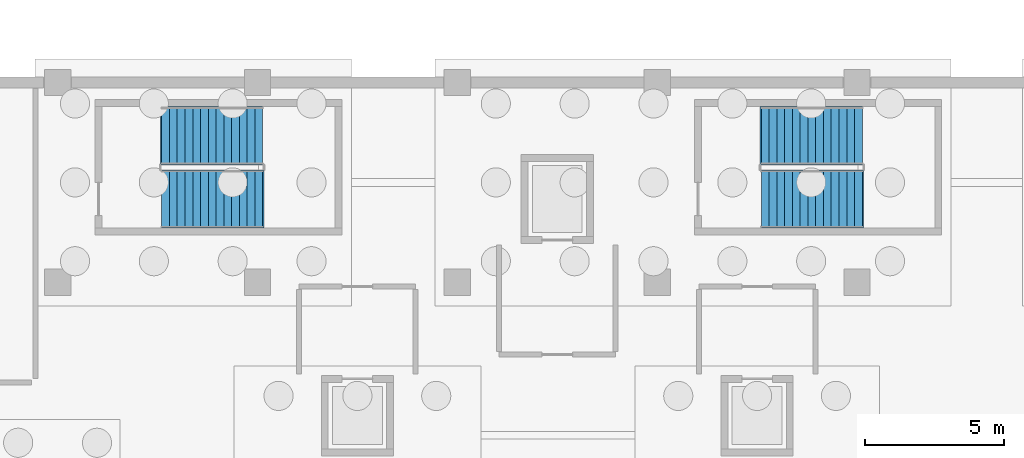
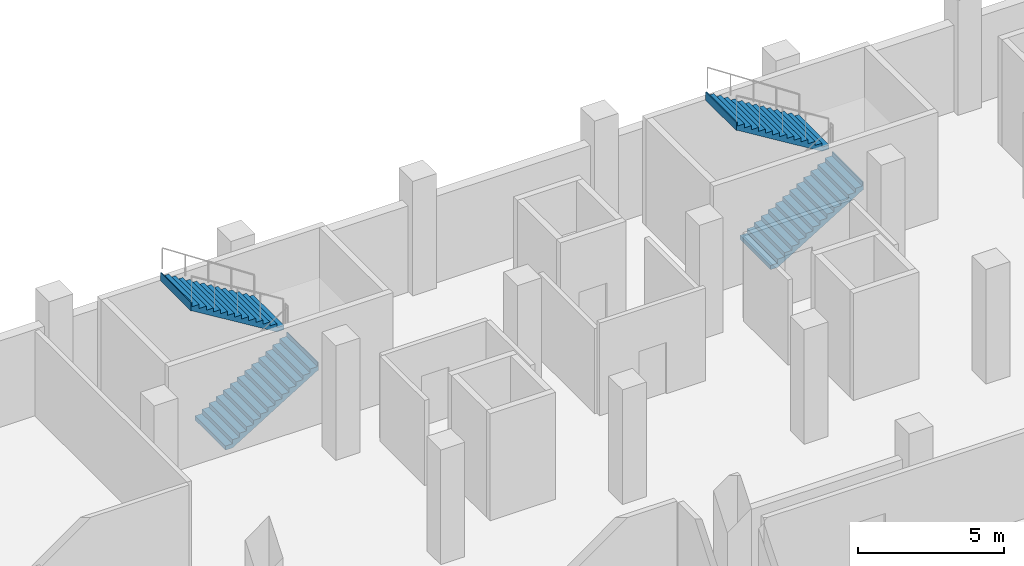
# One storey, part 6 of 10: 4 stair flights, 2 elements without a shape of their own.
"""IFC4 building model written with IfcOpenShell, lengths in metres."""

from ifc_helpers import new_model, si_unit, direction, frame, origin, place, context, subcontext, project, spatial, triangles, material, type_object, element, aggregate, save


model = new_model("IFC4")

# Units and contexts
model_context = context("Model", 3, precision=1e-05, world=origin(), true_north=direction((0.0, 1.0)))
body_context = subcontext(model_context, "Body", "Model", "MODEL_VIEW")
ifc_project = project(units=[si_unit("LENGTHUNIT", "METRE"), si_unit("AREAUNIT", "SQUARE_METRE"), si_unit("VOLUMEUNIT", "CUBIC_METRE"), si_unit("PLANEANGLEUNIT", "RADIAN"), si_unit("MASSUNIT", "GRAM", prefix="KILO")], contexts=[model_context])

# Site, building, storey
site_placement = place(None, origin())
site = spatial("IfcSite", under=ifc_project, at=site_placement, CompositionType="ELEMENT")
building_placement = place(site_placement, origin())
building = spatial("IfcBuilding", under=site, at=building_placement, Name="Cendralis Lancet Convention Centre", CompositionType="ELEMENT")
storey_placement = place(building_placement, frame((0.0, 0.0, -4.800048828125)))
storey = spatial("IfcBuildingStorey", under=building, at=storey_placement, Name="B1", CompositionType="ELEMENT", Elevation=-4.800048828125)

# Stair, stair flights
ifc_material = material(Name="Concrete G35 (C35/45)", Category="concrete")
stair_type = type_object("IfcStairType", Name="ARC-ST-CORE", PredefinedType="HALF_TURN_STAIR", material=ifc_material)
stair_1_placement = place(storey_placement, origin())
stair_1 = element("IfcStair", 1, at=stair_1_placement, inside=storey, type_object=stair_type, Name="B1 Protected Exit Stair ST-13", PredefinedType="HALF_TURN_STAIR")
stair_flight_type = type_object("IfcStairFlightType", Name="ARC-SF-CORE", PredefinedType="STRAIGHT", material=ifc_material)
stair_flight_1_placement = place(storey_placement, frame((150.14990234375, 31.800048828125, 0.0), z_axis=(0.0, 0.0, 1.0), x_axis=(1.0, 0.0, 0.0)))
stair_flight_1 = element("IfcStairFlight", 2, at=stair_flight_1_placement, type_object=stair_flight_type, Name="ST-13 flight 1", NumberOfRisers=14, NumberOfTreads=13, PredefinedType="STRAIGHT", RiserHeight=0.171428571, TreadLength=0.28, context=body_context, shape_type="Tessellation", body=[
    triangles([(0.0, 0.0, 0.085714), (0.0, 1.050049, 0.0), (0.0, -1.050049, 0.0), (0.0, -1.050049, 0.171429), (0.0, 1.050049, 0.171429), (0.14, 0.0, 0.171429), (0.28, -1.050049, 0.171429), (0.28, 1.050049, 0.171429), (0.14, 0.0, 0.0), (0.28, -1.050049, 0.0), (0.28, 1.050049, 0.0), (0.28, 0.0, 0.257143), (0.28, -1.050049, 0.342857), (0.28, 1.050049, 0.342857), (0.283543, 0.0, 0.342857), (0.287085, -1.050049, 0.342857), (0.287085, 1.050049, 0.342857), (0.283543, 0.0, 0.0), (0.287085, -1.050049, 0.0), (0.287085, 1.050049, 0.0), (0.423543, 0.0, 0.342857), (0.56, -1.050049, 0.342857), (0.56, 1.050049, 0.342857), (0.423543, 0.0, 0.083545), (0.56, -1.050049, 0.167091), (0.56, 1.050049, 0.167091), (0.56, 0.0, 0.428572), (0.56, -1.050049, 0.514286), (0.56, 1.050049, 0.514286), (0.7, 0.0, 0.514286), (0.84, -1.050049, 0.514286), (0.84, 1.050049, 0.514286), (0.7, 0.0, 0.252806), (0.84, -1.050049, 0.33852), (0.84, 1.050049, 0.33852), (0.84, 0.0, 0.6), (0.84, -1.050049, 0.685714), (0.84, 1.050049, 0.685714), (0.98, 0.0, 0.685714), (1.12, -1.050049, 0.685714), (1.12, 1.050049, 0.685714), (0.98, 0.0, 0.424234), (1.12, -1.050049, 0.509948), (1.12, 1.050049, 0.509948), (1.12, 0.0, 0.771429), (1.12, -1.050049, 0.857143), (1.12, 1.050049, 0.857143), (1.26, 0.0, 0.857143), (1.4, -1.050049, 0.857143), (1.4, 1.050049, 0.857143), (1.26, 0.0, 0.595662), (1.4, -1.050049, 0.681377), (1.4, 1.050049, 0.681377), (1.4, 0.0, 0.942857), (1.4, -1.050049, 1.028571), (1.4, 1.050049, 1.028571), (1.54, 0.0, 1.028571), (1.68, -1.050049, 1.028571), (1.68, 1.050049, 1.028571), (1.54, 0.0, 0.767091), (1.68, -1.050049, 0.852805), (1.68, 1.050049, 0.852805), (1.68, 0.0, 1.114286), (1.68, -1.050049, 1.2), (1.68, 1.050049, 1.2), (1.82, 0.0, 1.2), (1.96, -1.050049, 1.2), (1.96, 1.050049, 1.2), (1.82, 0.0, 0.938519), (1.96, -1.050049, 1.024234), (1.96, 1.050049, 1.024234), (1.96, 0.0, 1.285715), (1.96, -1.050049, 1.371429), (1.96, 1.050049, 1.371429), (2.1, 0.0, 1.371429), (2.24, -1.050049, 1.371429), (2.24, 1.050049, 1.371429), (2.1, 0.0, 1.109948), (2.24, -1.050049, 1.195662), (2.24, 1.050049, 1.195662), (2.24, 0.0, 1.457143), (2.24, -1.050049, 1.542857), (2.24, 1.050049, 1.542857), (2.38, 0.0, 1.542857), (2.52, -1.050049, 1.542857), (2.52, 1.050049, 1.542857), (2.38, 0.0, 1.281376), (2.52, -1.050049, 1.367091), (2.52, 1.050049, 1.367091), (2.52, 0.0, 1.628572), (2.52, -1.050049, 1.714286), (2.52, 1.050049, 1.714286), (2.66, 0.0, 1.714286), (2.8, -1.050049, 1.714286), (2.8, 1.050049, 1.714286), (2.66, 0.0, 1.452806), (2.8, -1.050049, 1.53852), (2.8, 1.050049, 1.53852), (2.8, 0.0, 1.8), (2.8, -1.050049, 1.885714), (2.8, 1.050049, 1.885714), (2.94, 0.0, 1.885714), (3.08, -1.050049, 1.885714), (3.08, 1.050049, 1.885714), (2.94, 0.0, 1.624234), (3.08, -1.050049, 1.709948), (3.08, 1.050049, 1.709948), (3.08, 0.0, 1.971429), (3.08, -1.050049, 2.057143), (3.08, 1.050049, 2.057143), (3.22, 0.0, 2.057143), (3.36, -1.050049, 2.057143), (3.36, 1.050049, 2.057143), (3.22, 0.0, 1.795663), (3.36, -1.050049, 1.881377), (3.36, 1.050049, 1.881377), (3.36, 0.0, 2.142857), (3.36, -1.050049, 2.228571), (3.36, 1.050049, 2.228571), (3.5, 0.0, 2.228571), (3.64, -1.050049, 2.228571), (3.64, 1.050049, 2.228571), (3.5, 0.0, 1.967091), (3.64, -1.050049, 2.052805), (3.64, 1.050049, 2.052805), (3.64, 0.0, 2.314285), (3.64, -1.050049, 2.4), (3.64, 1.050049, 2.4), (3.66, 0.0, 2.4), (3.68, -1.050049, 2.4), (3.68, 1.050049, 2.4), (3.66, 0.0, 2.052805), (3.68, -1.050049, 2.052805), (3.68, 1.050049, 2.052805), (3.68, 0.0, 2.226403)], [[2, 3, 1], [3, 4, 1], [4, 5, 1], [5, 2, 1], [4, 7, 6], [7, 8, 6], [8, 5, 6], [5, 4, 6], [10, 3, 9], [3, 2, 9], [2, 11, 9], [11, 10, 9], [3, 10, 7], [3, 7, 4], [2, 8, 11], [2, 5, 8], [8, 7, 12], [7, 13, 12], [13, 14, 12], [14, 8, 12], [13, 16, 15], [16, 17, 15], [17, 14, 15], [14, 13, 15], [19, 10, 18], [10, 11, 18], [11, 20, 18], [20, 19, 18], [10, 19, 16], [10, 16, 7], [7, 16, 13], [11, 17, 20], [11, 8, 17], [8, 14, 17], [16, 22, 21], [22, 23, 21], [23, 17, 21], [17, 16, 21], [25, 19, 24], [19, 20, 24], [20, 26, 24], [26, 25, 24], [19, 25, 22], [19, 22, 16], [20, 23, 26], [20, 17, 23], [23, 22, 27], [22, 28, 27], [28, 29, 27], [29, 23, 27], [28, 31, 30], [31, 32, 30], [32, 29, 30], [29, 28, 30], [34, 25, 33], [25, 26, 33], [26, 35, 33], [35, 34, 33], [25, 34, 31], [25, 31, 22], [22, 31, 28], [26, 32, 35], [26, 23, 32], [23, 29, 32], [32, 31, 36], [31, 37, 36], [37, 38, 36], [38, 32, 36], [37, 40, 39], [40, 41, 39], [41, 38, 39], [38, 37, 39], [43, 34, 42], [34, 35, 42], [35, 44, 42], [44, 43, 42], [34, 43, 40], [34, 40, 31], [31, 40, 37], [35, 41, 44], [35, 32, 41], [32, 38, 41], [41, 40, 45], [40, 46, 45], [46, 47, 45], [47, 41, 45], [46, 49, 48], [49, 50, 48], [50, 47, 48], [47, 46, 48], [52, 43, 51], [43, 44, 51], [44, 53, 51], [53, 52, 51], [43, 52, 49], [43, 49, 40], [40, 49, 46], [44, 50, 53], [44, 41, 50], [41, 47, 50], [50, 49, 54], [49, 55, 54], [55, 56, 54], [56, 50, 54], [55, 58, 57], [58, 59, 57], [59, 56, 57], [56, 55, 57], [61, 52, 60], [52, 53, 60], [53, 62, 60], [62, 61, 60], [52, 61, 58], [52, 58, 49], [49, 58, 55], [53, 59, 62], [53, 50, 59], [50, 56, 59], [59, 58, 63], [58, 64, 63], [64, 65, 63], [65, 59, 63], [64, 67, 66], [67, 68, 66], [68, 65, 66], [65, 64, 66], [70, 61, 69], [61, 62, 69], [62, 71, 69], [71, 70, 69], [61, 70, 67], [61, 67, 58], [58, 67, 64], [62, 68, 71], [62, 59, 68], [59, 65, 68], [68, 67, 72], [67, 73, 72], [73, 74, 72], [74, 68, 72], [73, 76, 75], [76, 77, 75], [77, 74, 75], [74, 73, 75], [79, 70, 78], [70, 71, 78], [71, 80, 78], [80, 79, 78], [70, 79, 76], [70, 76, 67], [67, 76, 73], [71, 77, 80], [71, 68, 77], [68, 74, 77], [77, 76, 81], [76, 82, 81], [82, 83, 81], [83, 77, 81], [82, 85, 84], [85, 86, 84], [86, 83, 84], [83, 82, 84], [88, 79, 87], [79, 80, 87], [80, 89, 87], [89, 88, 87], [79, 88, 85], [79, 85, 76], [76, 85, 82], [80, 86, 89], [80, 77, 86], [77, 83, 86], [86, 85, 90], [85, 91, 90], [91, 92, 90], [92, 86, 90], [91, 94, 93], [94, 95, 93], [95, 92, 93], [92, 91, 93], [97, 88, 96], [88, 89, 96], [89, 98, 96], [98, 97, 96], [88, 97, 94], [88, 94, 85], [85, 94, 91], [89, 95, 98], [89, 86, 95], [86, 92, 95], [95, 94, 99], [94, 100, 99], [100, 101, 99], [101, 95, 99], [100, 103, 102], [103, 104, 102], [104, 101, 102], [101, 100, 102], [106, 97, 105], [97, 98, 105], [98, 107, 105], [107, 106, 105], [97, 106, 103], [97, 103, 94], [94, 103, 100], [98, 104, 107], [98, 95, 104], [95, 101, 104], [104, 103, 108], [103, 109, 108], [109, 110, 108], [110, 104, 108], [109, 112, 111], [112, 113, 111], [113, 110, 111], [110, 109, 111], [115, 106, 114], [106, 107, 114], [107, 116, 114], [116, 115, 114], [106, 115, 112], [106, 112, 103], [103, 112, 109], [107, 113, 116], [107, 104, 113], [104, 110, 113], [113, 112, 117], [112, 118, 117], [118, 119, 117], [119, 113, 117], [118, 121, 120], [121, 122, 120], [122, 119, 120], [119, 118, 120], [124, 115, 123], [115, 116, 123], [116, 125, 123], [125, 124, 123], [115, 124, 121], [115, 121, 112], [112, 121, 118], [116, 122, 125], [116, 113, 122], [113, 119, 122], [122, 121, 126], [121, 127, 126], [127, 128, 126], [128, 122, 126], [127, 130, 129], [130, 131, 129], [131, 128, 129], [128, 127, 129], [133, 124, 132], [124, 125, 132], [125, 134, 132], [134, 133, 132], [124, 133, 130], [124, 130, 121], [121, 130, 127], [125, 131, 134], [125, 122, 131], [122, 128, 131], [133, 134, 135], [134, 131, 135], [131, 130, 135], [130, 133, 135]], closed=True),
])
stair_flight_2_placement = place(storey_placement, frame((153.7900390625, 34.080078125, 2.400146484375), z_axis=(0.0, 0.0, 1.0), x_axis=(-1.0, 0.0, 0.0)))
stair_flight_2 = element("IfcStairFlight", 3, at=stair_flight_2_placement, type_object=stair_flight_type, Name="ST-13 flight 2", NumberOfRisers=14, NumberOfTreads=13, PredefinedType="STRAIGHT", RiserHeight=0.171428571, TreadLength=0.28, context=body_context, shape_type="Tessellation", body=[
    triangles([(0.0, 0.0, 0.085714), (0.0, 1.050049, 0.0), (0.0, -1.050049, 0.0), (0.0, -1.050049, 0.171429), (0.0, 1.050049, 0.171429), (0.14, 0.0, 0.171429), (0.28, -1.050049, 0.171429), (0.28, 1.050049, 0.171429), (0.14, 0.0, 0.0), (0.28, -1.050049, 0.0), (0.28, 1.050049, 0.0), (0.28, 0.0, 0.257143), (0.28, -1.050049, 0.342857), (0.28, 1.050049, 0.342857), (0.283543, 0.0, 0.342857), (0.287085, -1.050049, 0.342857), (0.287085, 1.050049, 0.342857), (0.283543, 0.0, 0.0), (0.287085, -1.050049, 0.0), (0.287085, 1.050049, 0.0), (0.423543, 0.0, 0.342857), (0.56, -1.050049, 0.342857), (0.56, 1.050049, 0.342857), (0.423543, 0.0, 0.083545), (0.56, -1.050049, 0.167091), (0.56, 1.050049, 0.167091), (0.56, 0.0, 0.428572), (0.56, -1.050049, 0.514286), (0.56, 1.050049, 0.514286), (0.7, 0.0, 0.514286), (0.84, -1.050049, 0.514286), (0.84, 1.050049, 0.514286), (0.7, 0.0, 0.252806), (0.84, -1.050049, 0.33852), (0.84, 1.050049, 0.33852), (0.84, 0.0, 0.6), (0.84, -1.050049, 0.685714), (0.84, 1.050049, 0.685714), (0.98, 0.0, 0.685714), (1.12, -1.050049, 0.685714), (1.12, 1.050049, 0.685714), (0.98, 0.0, 0.424234), (1.12, -1.050049, 0.509948), (1.12, 1.050049, 0.509948), (1.12, 0.0, 0.771429), (1.12, -1.050049, 0.857143), (1.12, 1.050049, 0.857143), (1.26, 0.0, 0.857143), (1.4, -1.050049, 0.857143), (1.4, 1.050049, 0.857143), (1.26, 0.0, 0.595662), (1.4, -1.050049, 0.681377), (1.4, 1.050049, 0.681377), (1.4, 0.0, 0.942857), (1.4, -1.050049, 1.028571), (1.4, 1.050049, 1.028571), (1.54, 0.0, 1.028571), (1.68, -1.050049, 1.028571), (1.68, 1.050049, 1.028571), (1.54, 0.0, 0.767091), (1.68, -1.050049, 0.852805), (1.68, 1.050049, 0.852805), (1.68, 0.0, 1.114286), (1.68, -1.050049, 1.2), (1.68, 1.050049, 1.2), (1.82, 0.0, 1.2), (1.96, -1.050049, 1.2), (1.96, 1.050049, 1.2), (1.82, 0.0, 0.938519), (1.96, -1.050049, 1.024234), (1.96, 1.050049, 1.024234), (1.96, 0.0, 1.285715), (1.96, -1.050049, 1.371429), (1.96, 1.050049, 1.371429), (2.1, 0.0, 1.371429), (2.24, -1.050049, 1.371429), (2.24, 1.050049, 1.371429), (2.1, 0.0, 1.109948), (2.24, -1.050049, 1.195662), (2.24, 1.050049, 1.195662), (2.24, 0.0, 1.457143), (2.24, -1.050049, 1.542857), (2.24, 1.050049, 1.542857), (2.38, 0.0, 1.542857), (2.52, -1.050049, 1.542857), (2.52, 1.050049, 1.542857), (2.38, 0.0, 1.281376), (2.52, -1.050049, 1.367091), (2.52, 1.050049, 1.367091), (2.52, 0.0, 1.628572), (2.52, -1.050049, 1.714286), (2.52, 1.050049, 1.714286), (2.66, 0.0, 1.714286), (2.8, -1.050049, 1.714286), (2.8, 1.050049, 1.714286), (2.66, 0.0, 1.452806), (2.8, -1.050049, 1.53852), (2.8, 1.050049, 1.53852), (2.8, 0.0, 1.8), (2.8, -1.050049, 1.885714), (2.8, 1.050049, 1.885714), (2.94, 0.0, 1.885714), (3.08, -1.050049, 1.885714), (3.08, 1.050049, 1.885714), (2.94, 0.0, 1.624234), (3.08, -1.050049, 1.709948), (3.08, 1.050049, 1.709948), (3.08, 0.0, 1.971429), (3.08, -1.050049, 2.057143), (3.08, 1.050049, 2.057143), (3.22, 0.0, 2.057143), (3.36, -1.050049, 2.057143), (3.36, 1.050049, 2.057143), (3.22, 0.0, 1.795663), (3.36, -1.050049, 1.881377), (3.36, 1.050049, 1.881377), (3.36, 0.0, 2.142857), (3.36, -1.050049, 2.228571), (3.36, 1.050049, 2.228571), (3.5, 0.0, 2.228571), (3.64, -1.050049, 2.228571), (3.64, 1.050049, 2.228571), (3.5, 0.0, 1.967091), (3.64, -1.050049, 2.052805), (3.64, 1.050049, 2.052805), (3.64, 0.0, 2.314285), (3.64, -1.050049, 2.4), (3.64, 1.050049, 2.4), (3.66, 0.0, 2.4), (3.68, -1.050049, 2.4), (3.68, 1.050049, 2.4), (3.66, 0.0, 2.052805), (3.68, -1.050049, 2.052805), (3.68, 1.050049, 2.052805), (3.68, 0.0, 2.226403)], [[2, 3, 1], [3, 4, 1], [4, 5, 1], [5, 2, 1], [4, 7, 6], [7, 8, 6], [8, 5, 6], [5, 4, 6], [10, 3, 9], [3, 2, 9], [2, 11, 9], [11, 10, 9], [3, 10, 7], [3, 7, 4], [2, 8, 11], [2, 5, 8], [8, 7, 12], [7, 13, 12], [13, 14, 12], [14, 8, 12], [13, 16, 15], [16, 17, 15], [17, 14, 15], [14, 13, 15], [19, 10, 18], [10, 11, 18], [11, 20, 18], [20, 19, 18], [10, 19, 16], [10, 16, 7], [7, 16, 13], [11, 17, 20], [11, 8, 17], [8, 14, 17], [16, 22, 21], [22, 23, 21], [23, 17, 21], [17, 16, 21], [25, 19, 24], [19, 20, 24], [20, 26, 24], [26, 25, 24], [19, 25, 22], [19, 22, 16], [20, 23, 26], [20, 17, 23], [23, 22, 27], [22, 28, 27], [28, 29, 27], [29, 23, 27], [28, 31, 30], [31, 32, 30], [32, 29, 30], [29, 28, 30], [34, 25, 33], [25, 26, 33], [26, 35, 33], [35, 34, 33], [25, 34, 31], [25, 31, 22], [22, 31, 28], [26, 32, 35], [26, 23, 32], [23, 29, 32], [32, 31, 36], [31, 37, 36], [37, 38, 36], [38, 32, 36], [37, 40, 39], [40, 41, 39], [41, 38, 39], [38, 37, 39], [43, 34, 42], [34, 35, 42], [35, 44, 42], [44, 43, 42], [34, 43, 40], [34, 40, 31], [31, 40, 37], [35, 41, 44], [35, 32, 41], [32, 38, 41], [41, 40, 45], [40, 46, 45], [46, 47, 45], [47, 41, 45], [46, 49, 48], [49, 50, 48], [50, 47, 48], [47, 46, 48], [52, 43, 51], [43, 44, 51], [44, 53, 51], [53, 52, 51], [43, 52, 49], [43, 49, 40], [40, 49, 46], [44, 50, 53], [44, 41, 50], [41, 47, 50], [50, 49, 54], [49, 55, 54], [55, 56, 54], [56, 50, 54], [55, 58, 57], [58, 59, 57], [59, 56, 57], [56, 55, 57], [61, 52, 60], [52, 53, 60], [53, 62, 60], [62, 61, 60], [52, 61, 58], [52, 58, 49], [49, 58, 55], [53, 59, 62], [53, 50, 59], [50, 56, 59], [59, 58, 63], [58, 64, 63], [64, 65, 63], [65, 59, 63], [64, 67, 66], [67, 68, 66], [68, 65, 66], [65, 64, 66], [70, 61, 69], [61, 62, 69], [62, 71, 69], [71, 70, 69], [61, 70, 67], [61, 67, 58], [58, 67, 64], [62, 68, 71], [62, 59, 68], [59, 65, 68], [68, 67, 72], [67, 73, 72], [73, 74, 72], [74, 68, 72], [73, 76, 75], [76, 77, 75], [77, 74, 75], [74, 73, 75], [79, 70, 78], [70, 71, 78], [71, 80, 78], [80, 79, 78], [70, 79, 76], [70, 76, 67], [67, 76, 73], [71, 77, 80], [71, 68, 77], [68, 74, 77], [77, 76, 81], [76, 82, 81], [82, 83, 81], [83, 77, 81], [82, 85, 84], [85, 86, 84], [86, 83, 84], [83, 82, 84], [88, 79, 87], [79, 80, 87], [80, 89, 87], [89, 88, 87], [79, 88, 85], [79, 85, 76], [76, 85, 82], [80, 86, 89], [80, 77, 86], [77, 83, 86], [86, 85, 90], [85, 91, 90], [91, 92, 90], [92, 86, 90], [91, 94, 93], [94, 95, 93], [95, 92, 93], [92, 91, 93], [97, 88, 96], [88, 89, 96], [89, 98, 96], [98, 97, 96], [88, 97, 94], [88, 94, 85], [85, 94, 91], [89, 95, 98], [89, 86, 95], [86, 92, 95], [95, 94, 99], [94, 100, 99], [100, 101, 99], [101, 95, 99], [100, 103, 102], [103, 104, 102], [104, 101, 102], [101, 100, 102], [106, 97, 105], [97, 98, 105], [98, 107, 105], [107, 106, 105], [97, 106, 103], [97, 103, 94], [94, 103, 100], [98, 104, 107], [98, 95, 104], [95, 101, 104], [104, 103, 108], [103, 109, 108], [109, 110, 108], [110, 104, 108], [109, 112, 111], [112, 113, 111], [113, 110, 111], [110, 109, 111], [115, 106, 114], [106, 107, 114], [107, 116, 114], [116, 115, 114], [106, 115, 112], [106, 112, 103], [103, 112, 109], [107, 113, 116], [107, 104, 113], [104, 110, 113], [113, 112, 117], [112, 118, 117], [118, 119, 117], [119, 113, 117], [118, 121, 120], [121, 122, 120], [122, 119, 120], [119, 118, 120], [124, 115, 123], [115, 116, 123], [116, 125, 123], [125, 124, 123], [115, 124, 121], [115, 121, 112], [112, 121, 118], [116, 122, 125], [116, 113, 122], [113, 119, 122], [122, 121, 126], [121, 127, 126], [127, 128, 126], [128, 122, 126], [127, 130, 129], [130, 131, 129], [131, 128, 129], [128, 127, 129], [133, 124, 132], [124, 125, 132], [125, 134, 132], [134, 133, 132], [124, 133, 130], [124, 130, 121], [121, 130, 127], [125, 131, 134], [125, 122, 131], [122, 128, 131], [133, 134, 135], [134, 131, 135], [131, 130, 135], [130, 133, 135]], closed=True),
])
aggregate(stair_1, [stair_flight_1, stair_flight_2])

stair_2_placement = place(storey_placement, origin())
stair_2 = element("IfcStair", 4, at=stair_2_placement, inside=storey, type_object=stair_type, Name="B1 Protected Exit Stair ST-14", PredefinedType="HALF_TURN_STAIR")
stair_flight_3_placement = place(storey_placement, frame((171.75, 31.800048828125, 0.0), z_axis=(0.0, 0.0, 1.0), x_axis=(1.0, 0.0, 0.0)))
stair_flight_3 = element("IfcStairFlight", 5, at=stair_flight_3_placement, type_object=stair_flight_type, Name="ST-14 flight 1", NumberOfRisers=14, NumberOfTreads=13, PredefinedType="STRAIGHT", RiserHeight=0.171428571, TreadLength=0.28, context=body_context, shape_type="Tessellation", body=[
    triangles([(0.0, 0.0, 0.085714), (0.0, 1.050049, 0.0), (0.0, -1.050049, 0.0), (0.0, -1.050049, 0.171429), (0.0, 1.050049, 0.171429), (0.14, 0.0, 0.171429), (0.28, -1.050049, 0.171429), (0.28, 1.050049, 0.171429), (0.14, 0.0, 0.0), (0.28, -1.050049, 0.0), (0.28, 1.050049, 0.0), (0.28, 0.0, 0.257143), (0.28, -1.050049, 0.342857), (0.28, 1.050049, 0.342857), (0.283543, 0.0, 0.342857), (0.287085, -1.050049, 0.342857), (0.287085, 1.050049, 0.342857), (0.283543, 0.0, 0.0), (0.287085, -1.050049, 0.0), (0.287085, 1.050049, 0.0), (0.423543, 0.0, 0.342857), (0.56, -1.050049, 0.342857), (0.56, 1.050049, 0.342857), (0.423543, 0.0, 0.083545), (0.56, -1.050049, 0.167091), (0.56, 1.050049, 0.167091), (0.56, 0.0, 0.428572), (0.56, -1.050049, 0.514286), (0.56, 1.050049, 0.514286), (0.7, 0.0, 0.514286), (0.84, -1.050049, 0.514286), (0.84, 1.050049, 0.514286), (0.7, 0.0, 0.252806), (0.84, -1.050049, 0.33852), (0.84, 1.050049, 0.33852), (0.84, 0.0, 0.6), (0.84, -1.050049, 0.685714), (0.84, 1.050049, 0.685714), (0.98, 0.0, 0.685714), (1.12, -1.050049, 0.685714), (1.12, 1.050049, 0.685714), (0.98, 0.0, 0.424234), (1.12, -1.050049, 0.509948), (1.12, 1.050049, 0.509948), (1.12, 0.0, 0.771429), (1.12, -1.050049, 0.857143), (1.12, 1.050049, 0.857143), (1.26, 0.0, 0.857143), (1.4, -1.050049, 0.857143), (1.4, 1.050049, 0.857143), (1.26, 0.0, 0.595662), (1.4, -1.050049, 0.681377), (1.4, 1.050049, 0.681377), (1.4, 0.0, 0.942857), (1.4, -1.050049, 1.028571), (1.4, 1.050049, 1.028571), (1.54, 0.0, 1.028571), (1.68, -1.050049, 1.028571), (1.68, 1.050049, 1.028571), (1.54, 0.0, 0.767091), (1.68, -1.050049, 0.852805), (1.68, 1.050049, 0.852805), (1.68, 0.0, 1.114286), (1.68, -1.050049, 1.2), (1.68, 1.050049, 1.2), (1.82, 0.0, 1.2), (1.96, -1.050049, 1.2), (1.96, 1.050049, 1.2), (1.82, 0.0, 0.938519), (1.96, -1.050049, 1.024234), (1.96, 1.050049, 1.024234), (1.96, 0.0, 1.285715), (1.96, -1.050049, 1.371429), (1.96, 1.050049, 1.371429), (2.1, 0.0, 1.371429), (2.24, -1.050049, 1.371429), (2.24, 1.050049, 1.371429), (2.1, 0.0, 1.109948), (2.24, -1.050049, 1.195662), (2.24, 1.050049, 1.195662), (2.24, 0.0, 1.457143), (2.24, -1.050049, 1.542857), (2.24, 1.050049, 1.542857), (2.38, 0.0, 1.542857), (2.52, -1.050049, 1.542857), (2.52, 1.050049, 1.542857), (2.38, 0.0, 1.281376), (2.52, -1.050049, 1.367091), (2.52, 1.050049, 1.367091), (2.52, 0.0, 1.628572), (2.52, -1.050049, 1.714286), (2.52, 1.050049, 1.714286), (2.66, 0.0, 1.714286), (2.8, -1.050049, 1.714286), (2.8, 1.050049, 1.714286), (2.66, 0.0, 1.452806), (2.8, -1.050049, 1.53852), (2.8, 1.050049, 1.53852), (2.8, 0.0, 1.8), (2.8, -1.050049, 1.885714), (2.8, 1.050049, 1.885714), (2.94, 0.0, 1.885714), (3.08, -1.050049, 1.885714), (3.08, 1.050049, 1.885714), (2.94, 0.0, 1.624234), (3.08, -1.050049, 1.709948), (3.08, 1.050049, 1.709948), (3.08, 0.0, 1.971429), (3.08, -1.050049, 2.057143), (3.08, 1.050049, 2.057143), (3.22, 0.0, 2.057143), (3.36, -1.050049, 2.057143), (3.36, 1.050049, 2.057143), (3.22, 0.0, 1.795663), (3.36, -1.050049, 1.881377), (3.36, 1.050049, 1.881377), (3.36, 0.0, 2.142857), (3.36, -1.050049, 2.228571), (3.36, 1.050049, 2.228571), (3.5, 0.0, 2.228571), (3.64, -1.050049, 2.228571), (3.64, 1.050049, 2.228571), (3.5, 0.0, 1.967091), (3.64, -1.050049, 2.052805), (3.64, 1.050049, 2.052805), (3.64, 0.0, 2.314285), (3.64, -1.050049, 2.4), (3.64, 1.050049, 2.4), (3.66, 0.0, 2.4), (3.68, -1.050049, 2.4), (3.68, 1.050049, 2.4), (3.66, 0.0, 2.052805), (3.68, -1.050049, 2.052805), (3.68, 1.050049, 2.052805), (3.68, 0.0, 2.226403)], [[2, 3, 1], [3, 4, 1], [4, 5, 1], [5, 2, 1], [4, 7, 6], [7, 8, 6], [8, 5, 6], [5, 4, 6], [10, 3, 9], [3, 2, 9], [2, 11, 9], [11, 10, 9], [3, 10, 7], [3, 7, 4], [2, 8, 11], [2, 5, 8], [8, 7, 12], [7, 13, 12], [13, 14, 12], [14, 8, 12], [13, 16, 15], [16, 17, 15], [17, 14, 15], [14, 13, 15], [19, 10, 18], [10, 11, 18], [11, 20, 18], [20, 19, 18], [10, 19, 16], [10, 16, 7], [7, 16, 13], [11, 17, 20], [11, 8, 17], [8, 14, 17], [16, 22, 21], [22, 23, 21], [23, 17, 21], [17, 16, 21], [25, 19, 24], [19, 20, 24], [20, 26, 24], [26, 25, 24], [19, 25, 22], [19, 22, 16], [20, 23, 26], [20, 17, 23], [23, 22, 27], [22, 28, 27], [28, 29, 27], [29, 23, 27], [28, 31, 30], [31, 32, 30], [32, 29, 30], [29, 28, 30], [34, 25, 33], [25, 26, 33], [26, 35, 33], [35, 34, 33], [25, 34, 31], [25, 31, 22], [22, 31, 28], [26, 32, 35], [26, 23, 32], [23, 29, 32], [32, 31, 36], [31, 37, 36], [37, 38, 36], [38, 32, 36], [37, 40, 39], [40, 41, 39], [41, 38, 39], [38, 37, 39], [43, 34, 42], [34, 35, 42], [35, 44, 42], [44, 43, 42], [34, 43, 40], [34, 40, 31], [31, 40, 37], [35, 41, 44], [35, 32, 41], [32, 38, 41], [41, 40, 45], [40, 46, 45], [46, 47, 45], [47, 41, 45], [46, 49, 48], [49, 50, 48], [50, 47, 48], [47, 46, 48], [52, 43, 51], [43, 44, 51], [44, 53, 51], [53, 52, 51], [43, 52, 49], [43, 49, 40], [40, 49, 46], [44, 50, 53], [44, 41, 50], [41, 47, 50], [50, 49, 54], [49, 55, 54], [55, 56, 54], [56, 50, 54], [55, 58, 57], [58, 59, 57], [59, 56, 57], [56, 55, 57], [61, 52, 60], [52, 53, 60], [53, 62, 60], [62, 61, 60], [52, 61, 58], [52, 58, 49], [49, 58, 55], [53, 59, 62], [53, 50, 59], [50, 56, 59], [59, 58, 63], [58, 64, 63], [64, 65, 63], [65, 59, 63], [64, 67, 66], [67, 68, 66], [68, 65, 66], [65, 64, 66], [70, 61, 69], [61, 62, 69], [62, 71, 69], [71, 70, 69], [61, 70, 67], [61, 67, 58], [58, 67, 64], [62, 68, 71], [62, 59, 68], [59, 65, 68], [68, 67, 72], [67, 73, 72], [73, 74, 72], [74, 68, 72], [73, 76, 75], [76, 77, 75], [77, 74, 75], [74, 73, 75], [79, 70, 78], [70, 71, 78], [71, 80, 78], [80, 79, 78], [70, 79, 76], [70, 76, 67], [67, 76, 73], [71, 77, 80], [71, 68, 77], [68, 74, 77], [77, 76, 81], [76, 82, 81], [82, 83, 81], [83, 77, 81], [82, 85, 84], [85, 86, 84], [86, 83, 84], [83, 82, 84], [88, 79, 87], [79, 80, 87], [80, 89, 87], [89, 88, 87], [79, 88, 85], [79, 85, 76], [76, 85, 82], [80, 86, 89], [80, 77, 86], [77, 83, 86], [86, 85, 90], [85, 91, 90], [91, 92, 90], [92, 86, 90], [91, 94, 93], [94, 95, 93], [95, 92, 93], [92, 91, 93], [97, 88, 96], [88, 89, 96], [89, 98, 96], [98, 97, 96], [88, 97, 94], [88, 94, 85], [85, 94, 91], [89, 95, 98], [89, 86, 95], [86, 92, 95], [95, 94, 99], [94, 100, 99], [100, 101, 99], [101, 95, 99], [100, 103, 102], [103, 104, 102], [104, 101, 102], [101, 100, 102], [106, 97, 105], [97, 98, 105], [98, 107, 105], [107, 106, 105], [97, 106, 103], [97, 103, 94], [94, 103, 100], [98, 104, 107], [98, 95, 104], [95, 101, 104], [104, 103, 108], [103, 109, 108], [109, 110, 108], [110, 104, 108], [109, 112, 111], [112, 113, 111], [113, 110, 111], [110, 109, 111], [115, 106, 114], [106, 107, 114], [107, 116, 114], [116, 115, 114], [106, 115, 112], [106, 112, 103], [103, 112, 109], [107, 113, 116], [107, 104, 113], [104, 110, 113], [113, 112, 117], [112, 118, 117], [118, 119, 117], [119, 113, 117], [118, 121, 120], [121, 122, 120], [122, 119, 120], [119, 118, 120], [124, 115, 123], [115, 116, 123], [116, 125, 123], [125, 124, 123], [115, 124, 121], [115, 121, 112], [112, 121, 118], [116, 122, 125], [116, 113, 122], [113, 119, 122], [122, 121, 126], [121, 127, 126], [127, 128, 126], [128, 122, 126], [127, 130, 129], [130, 131, 129], [131, 128, 129], [128, 127, 129], [133, 124, 132], [124, 125, 132], [125, 134, 132], [134, 133, 132], [124, 133, 130], [124, 130, 121], [121, 130, 127], [125, 131, 134], [125, 122, 131], [122, 128, 131], [133, 134, 135], [134, 131, 135], [131, 130, 135], [130, 133, 135]], closed=True),
])
stair_flight_4_placement = place(storey_placement, frame((175.389892578125, 34.080078125, 2.400146484375), z_axis=(0.0, 0.0, 1.0), x_axis=(-1.0, 0.0, 0.0)))
stair_flight_4 = element("IfcStairFlight", 6, at=stair_flight_4_placement, type_object=stair_flight_type, Name="ST-14 flight 2", NumberOfRisers=14, NumberOfTreads=13, PredefinedType="STRAIGHT", RiserHeight=0.171428571, TreadLength=0.28, context=body_context, shape_type="Tessellation", body=[
    triangles([(0.0, 0.0, 0.085714), (0.0, 1.050049, 0.0), (0.0, -1.050049, 0.0), (0.0, -1.050049, 0.171429), (0.0, 1.050049, 0.171429), (0.14, 0.0, 0.171429), (0.28, -1.050049, 0.171429), (0.28, 1.050049, 0.171429), (0.14, 0.0, 0.0), (0.28, -1.050049, 0.0), (0.28, 1.050049, 0.0), (0.28, 0.0, 0.257143), (0.28, -1.050049, 0.342857), (0.28, 1.050049, 0.342857), (0.283543, 0.0, 0.342857), (0.287085, -1.050049, 0.342857), (0.287085, 1.050049, 0.342857), (0.283543, 0.0, 0.0), (0.287085, -1.050049, 0.0), (0.287085, 1.050049, 0.0), (0.423543, 0.0, 0.342857), (0.56, -1.050049, 0.342857), (0.56, 1.050049, 0.342857), (0.423543, 0.0, 0.083545), (0.56, -1.050049, 0.167091), (0.56, 1.050049, 0.167091), (0.56, 0.0, 0.428572), (0.56, -1.050049, 0.514286), (0.56, 1.050049, 0.514286), (0.7, 0.0, 0.514286), (0.84, -1.050049, 0.514286), (0.84, 1.050049, 0.514286), (0.7, 0.0, 0.252806), (0.84, -1.050049, 0.33852), (0.84, 1.050049, 0.33852), (0.84, 0.0, 0.6), (0.84, -1.050049, 0.685714), (0.84, 1.050049, 0.685714), (0.98, 0.0, 0.685714), (1.12, -1.050049, 0.685714), (1.12, 1.050049, 0.685714), (0.98, 0.0, 0.424234), (1.12, -1.050049, 0.509948), (1.12, 1.050049, 0.509948), (1.12, 0.0, 0.771429), (1.12, -1.050049, 0.857143), (1.12, 1.050049, 0.857143), (1.26, 0.0, 0.857143), (1.4, -1.050049, 0.857143), (1.4, 1.050049, 0.857143), (1.26, 0.0, 0.595662), (1.4, -1.050049, 0.681377), (1.4, 1.050049, 0.681377), (1.4, 0.0, 0.942857), (1.4, -1.050049, 1.028571), (1.4, 1.050049, 1.028571), (1.54, 0.0, 1.028571), (1.68, -1.050049, 1.028571), (1.68, 1.050049, 1.028571), (1.54, 0.0, 0.767091), (1.68, -1.050049, 0.852805), (1.68, 1.050049, 0.852805), (1.68, 0.0, 1.114286), (1.68, -1.050049, 1.2), (1.68, 1.050049, 1.2), (1.82, 0.0, 1.2), (1.96, -1.050049, 1.2), (1.96, 1.050049, 1.2), (1.82, 0.0, 0.938519), (1.96, -1.050049, 1.024234), (1.96, 1.050049, 1.024234), (1.96, 0.0, 1.285715), (1.96, -1.050049, 1.371429), (1.96, 1.050049, 1.371429), (2.1, 0.0, 1.371429), (2.24, -1.050049, 1.371429), (2.24, 1.050049, 1.371429), (2.1, 0.0, 1.109948), (2.24, -1.050049, 1.195662), (2.24, 1.050049, 1.195662), (2.24, 0.0, 1.457143), (2.24, -1.050049, 1.542857), (2.24, 1.050049, 1.542857), (2.38, 0.0, 1.542857), (2.52, -1.050049, 1.542857), (2.52, 1.050049, 1.542857), (2.38, 0.0, 1.281376), (2.52, -1.050049, 1.367091), (2.52, 1.050049, 1.367091), (2.52, 0.0, 1.628572), (2.52, -1.050049, 1.714286), (2.52, 1.050049, 1.714286), (2.66, 0.0, 1.714286), (2.8, -1.050049, 1.714286), (2.8, 1.050049, 1.714286), (2.66, 0.0, 1.452806), (2.8, -1.050049, 1.53852), (2.8, 1.050049, 1.53852), (2.8, 0.0, 1.8), (2.8, -1.050049, 1.885714), (2.8, 1.050049, 1.885714), (2.94, 0.0, 1.885714), (3.08, -1.050049, 1.885714), (3.08, 1.050049, 1.885714), (2.94, 0.0, 1.624234), (3.08, -1.050049, 1.709948), (3.08, 1.050049, 1.709948), (3.08, 0.0, 1.971429), (3.08, -1.050049, 2.057143), (3.08, 1.050049, 2.057143), (3.22, 0.0, 2.057143), (3.36, -1.050049, 2.057143), (3.36, 1.050049, 2.057143), (3.22, 0.0, 1.795663), (3.36, -1.050049, 1.881377), (3.36, 1.050049, 1.881377), (3.36, 0.0, 2.142857), (3.36, -1.050049, 2.228571), (3.36, 1.050049, 2.228571), (3.5, 0.0, 2.228571), (3.64, -1.050049, 2.228571), (3.64, 1.050049, 2.228571), (3.5, 0.0, 1.967091), (3.64, -1.050049, 2.052805), (3.64, 1.050049, 2.052805), (3.64, 0.0, 2.314285), (3.64, -1.050049, 2.4), (3.64, 1.050049, 2.4), (3.66, 0.0, 2.4), (3.68, -1.050049, 2.4), (3.68, 1.050049, 2.4), (3.66, 0.0, 2.052805), (3.68, -1.050049, 2.052805), (3.68, 1.050049, 2.052805), (3.68, 0.0, 2.226403)], [[2, 3, 1], [3, 4, 1], [4, 5, 1], [5, 2, 1], [4, 7, 6], [7, 8, 6], [8, 5, 6], [5, 4, 6], [10, 3, 9], [3, 2, 9], [2, 11, 9], [11, 10, 9], [3, 10, 7], [3, 7, 4], [2, 8, 11], [2, 5, 8], [8, 7, 12], [7, 13, 12], [13, 14, 12], [14, 8, 12], [13, 16, 15], [16, 17, 15], [17, 14, 15], [14, 13, 15], [19, 10, 18], [10, 11, 18], [11, 20, 18], [20, 19, 18], [10, 19, 16], [10, 16, 7], [7, 16, 13], [11, 17, 20], [11, 8, 17], [8, 14, 17], [16, 22, 21], [22, 23, 21], [23, 17, 21], [17, 16, 21], [25, 19, 24], [19, 20, 24], [20, 26, 24], [26, 25, 24], [19, 25, 22], [19, 22, 16], [20, 23, 26], [20, 17, 23], [23, 22, 27], [22, 28, 27], [28, 29, 27], [29, 23, 27], [28, 31, 30], [31, 32, 30], [32, 29, 30], [29, 28, 30], [34, 25, 33], [25, 26, 33], [26, 35, 33], [35, 34, 33], [25, 34, 31], [25, 31, 22], [22, 31, 28], [26, 32, 35], [26, 23, 32], [23, 29, 32], [32, 31, 36], [31, 37, 36], [37, 38, 36], [38, 32, 36], [37, 40, 39], [40, 41, 39], [41, 38, 39], [38, 37, 39], [43, 34, 42], [34, 35, 42], [35, 44, 42], [44, 43, 42], [34, 43, 40], [34, 40, 31], [31, 40, 37], [35, 41, 44], [35, 32, 41], [32, 38, 41], [41, 40, 45], [40, 46, 45], [46, 47, 45], [47, 41, 45], [46, 49, 48], [49, 50, 48], [50, 47, 48], [47, 46, 48], [52, 43, 51], [43, 44, 51], [44, 53, 51], [53, 52, 51], [43, 52, 49], [43, 49, 40], [40, 49, 46], [44, 50, 53], [44, 41, 50], [41, 47, 50], [50, 49, 54], [49, 55, 54], [55, 56, 54], [56, 50, 54], [55, 58, 57], [58, 59, 57], [59, 56, 57], [56, 55, 57], [61, 52, 60], [52, 53, 60], [53, 62, 60], [62, 61, 60], [52, 61, 58], [52, 58, 49], [49, 58, 55], [53, 59, 62], [53, 50, 59], [50, 56, 59], [59, 58, 63], [58, 64, 63], [64, 65, 63], [65, 59, 63], [64, 67, 66], [67, 68, 66], [68, 65, 66], [65, 64, 66], [70, 61, 69], [61, 62, 69], [62, 71, 69], [71, 70, 69], [61, 70, 67], [61, 67, 58], [58, 67, 64], [62, 68, 71], [62, 59, 68], [59, 65, 68], [68, 67, 72], [67, 73, 72], [73, 74, 72], [74, 68, 72], [73, 76, 75], [76, 77, 75], [77, 74, 75], [74, 73, 75], [79, 70, 78], [70, 71, 78], [71, 80, 78], [80, 79, 78], [70, 79, 76], [70, 76, 67], [67, 76, 73], [71, 77, 80], [71, 68, 77], [68, 74, 77], [77, 76, 81], [76, 82, 81], [82, 83, 81], [83, 77, 81], [82, 85, 84], [85, 86, 84], [86, 83, 84], [83, 82, 84], [88, 79, 87], [79, 80, 87], [80, 89, 87], [89, 88, 87], [79, 88, 85], [79, 85, 76], [76, 85, 82], [80, 86, 89], [80, 77, 86], [77, 83, 86], [86, 85, 90], [85, 91, 90], [91, 92, 90], [92, 86, 90], [91, 94, 93], [94, 95, 93], [95, 92, 93], [92, 91, 93], [97, 88, 96], [88, 89, 96], [89, 98, 96], [98, 97, 96], [88, 97, 94], [88, 94, 85], [85, 94, 91], [89, 95, 98], [89, 86, 95], [86, 92, 95], [95, 94, 99], [94, 100, 99], [100, 101, 99], [101, 95, 99], [100, 103, 102], [103, 104, 102], [104, 101, 102], [101, 100, 102], [106, 97, 105], [97, 98, 105], [98, 107, 105], [107, 106, 105], [97, 106, 103], [97, 103, 94], [94, 103, 100], [98, 104, 107], [98, 95, 104], [95, 101, 104], [104, 103, 108], [103, 109, 108], [109, 110, 108], [110, 104, 108], [109, 112, 111], [112, 113, 111], [113, 110, 111], [110, 109, 111], [115, 106, 114], [106, 107, 114], [107, 116, 114], [116, 115, 114], [106, 115, 112], [106, 112, 103], [103, 112, 109], [107, 113, 116], [107, 104, 113], [104, 110, 113], [113, 112, 117], [112, 118, 117], [118, 119, 117], [119, 113, 117], [118, 121, 120], [121, 122, 120], [122, 119, 120], [119, 118, 120], [124, 115, 123], [115, 116, 123], [116, 125, 123], [125, 124, 123], [115, 124, 121], [115, 121, 112], [112, 121, 118], [116, 122, 125], [116, 113, 122], [113, 119, 122], [122, 121, 126], [121, 127, 126], [127, 128, 126], [128, 122, 126], [127, 130, 129], [130, 131, 129], [131, 128, 129], [128, 127, 129], [133, 124, 132], [124, 125, 132], [125, 134, 132], [134, 133, 132], [124, 133, 130], [124, 130, 121], [121, 130, 127], [125, 131, 134], [125, 122, 131], [122, 128, 131], [133, 134, 135], [134, 131, 135], [131, 130, 135], [130, 133, 135]], closed=True),
])
aggregate(stair_2, [stair_flight_3, stair_flight_4])

save(model, "model.ifc")
